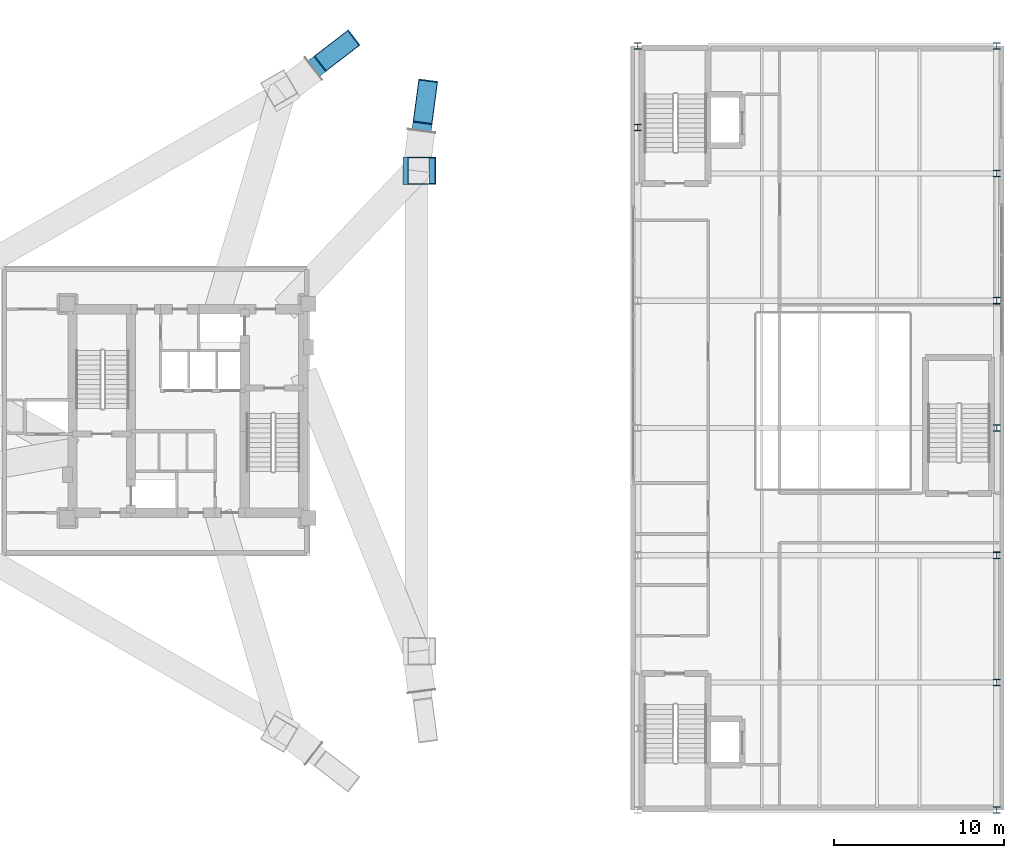
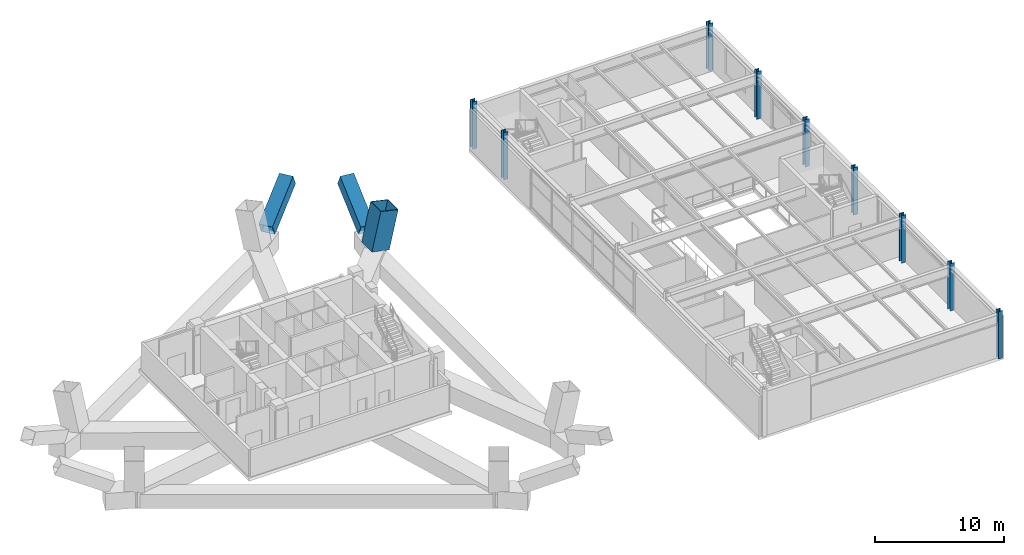
# One storey, part 2 of 16: 12 columns.
"""IFC4 building model written with IfcOpenShell, lengths in metres."""

from ifc_helpers import new_model, si_unit, direction, frame, origin, origin_2d, place, context, subcontext, project, spatial, hollow_rectangle, i_section, extrude, material, material_profile, profile_set, type_object, element, save


model = new_model("IFC4")

# Units and contexts
model_context = context("Model", 3, precision=1e-05, world=origin(), true_north=direction((0.0, 1.0)))
body_context = subcontext(model_context, "Body", "Model", "MODEL_VIEW")
ifc_project = project(units=[si_unit("LENGTHUNIT", "METRE"), si_unit("AREAUNIT", "SQUARE_METRE"), si_unit("VOLUMEUNIT", "CUBIC_METRE"), si_unit("PLANEANGLEUNIT", "RADIAN"), si_unit("MASSUNIT", "GRAM", prefix="KILO")], contexts=[model_context])

# Site, building, storey
site_placement = place(None, origin())
site = spatial("IfcSite", under=ifc_project, at=site_placement, CompositionType="ELEMENT")
building_placement = place(site_placement, origin())
building = spatial("IfcBuilding", under=site, at=building_placement, Name="Mersakhor Tower and Convention Hall", CompositionType="ELEMENT")
storey_placement = place(building_placement, frame((0.0, 0.0, 5.10009765625)))
storey = spatial("IfcBuildingStorey", under=building, at=storey_placement, Name="L01", CompositionType="ELEMENT", Elevation=5.10009765625)

# Columns
ifc_material_1 = material(Name="Concrete C60/75 in S460M steel box", Category="concrete")
ifc_material_profile_1 = material_profile(ifc_material_1, hollow_rectangle(XDim=1.14990234375, YDim=1.14990234375, WallThickness=0.031982421875, at=origin_2d()), Name="SHS 1150x1150x32")
ifc_profile_set_1 = profile_set([ifc_material_profile_1], Name="Concrete C60/75 in S460M steel box")
column_type_1 = type_object("IfcColumnType", Name="COL-CFT-1150", PredefinedType="COLUMN", material=ifc_profile_set_1)
column_1_placement = place(storey_placement, frame((35.99951171875, 46.603759765625, 0.079833984375), z_axis=(0.709160946247, 0.545851607638, 0.446247436695), x_axis=(-0.609951660333, 0.792438623527, 0.0)))
element("IfcColumn", 1, at=column_1_placement, inside=storey, type_object=column_type_1, Name="L01 Sloping Y-Branch Corner Mega-Column YCL-F1-B", PredefinedType="COLUMN", context=body_context, shape_type="SweptSolid", body=[
    extrude(hollow_rectangle(XDim=1.14990234375, YDim=1.14990234375, WallThickness=0.031982421875, at=origin_2d()), origin(), (0.0, 0.0, 1.0), 4.7060546875),
])
column_2_placement = place(storey_placement, frame((42.694091796875, 42.73828125, 0.079833984375), z_axis=(0.118116764742, 0.887094771128, 0.446218889027), x_axis=(-0.991251677926, 0.13198526815, 0.0)))
element("IfcColumn", 2, at=column_2_placement, inside=storey, type_object=column_type_1, Name="L01 Sloping Y-Branch Corner Mega-Column YCL-F2-A", PredefinedType="COLUMN", context=body_context, shape_type="SweptSolid", body=[
    extrude(hollow_rectangle(XDim=1.14990234375, YDim=1.14990234375, WallThickness=0.031982421875, at=origin_2d()), origin(), (0.0, 0.0, 1.0), 4.70654296875),
])
ifc_material_2 = material(Name="Concrete C70/85 in S460M steel box", Category="concrete")
ifc_material_profile_2 = material_profile(ifc_material_2, hollow_rectangle(XDim=1.60009765625, YDim=1.60009765625, WallThickness=0.0400390625, at=origin_2d()), Name="SHS 1600x1600x40")
ifc_profile_set_2 = profile_set([ifc_material_profile_2], Name="Concrete C70/85 in S460M steel box")
column_type_2 = type_object("IfcColumnType", Name="COL-CFT-1600", PredefinedType="COLUMN", material=ifc_profile_set_2)
column_3_placement = place(storey_placement, frame((42.449951171875, 40.904541015625, -0.300048828125), z_axis=(0.219849021395, 0.0, 0.975533909094), x_axis=(0.0, 1.0, 0.0)))
element("IfcColumn", 3, at=column_3_placement, inside=storey, type_object=column_type_2, Name="L01 Sloping Pilotis Mega-Column PIL-F2-1", PredefinedType="COLUMN", context=body_context, shape_type="SweptSolid", body=[
    extrude(hollow_rectangle(XDim=1.60009765625, YDim=1.60009765625, WallThickness=0.0400390625, at=origin_2d()), origin(), (0.0, 0.0, 1.0), 3.63916015625),
])
ifc_material_3 = material(Name="Steel S355", Category="steel")
ifc_material_profile_3 = material_profile(ifc_material_3, i_section(OverallWidth=0.39892578125, OverallDepth=0.3935546875, WebThickness=0.022705078125, FlangeThickness=0.03662109375, at=origin_2d()), Name="UC 356x406x287")
ifc_profile_set_3 = profile_set([ifc_material_profile_3], Name="Steel S355")
column_type_3 = type_object("IfcColumnType", Name="COL-STL-UC356", PredefinedType="COLUMN", material=ifc_profile_set_3)
for number, where, z_axis, x_axis, name in (
    (4, (55.5, 43.449951171875, 0.0), (0.0, 0.0, 1.0), (1.0, 0.0, 0.0), "Convention L01 Perimeter Column SC-W6"),
    (5, (55.5, 48.25, 0.0), (0.0, 0.0, 1.0), (1.0, 0.0, 0.0), "Convention L01 Perimeter Column SC-W7"),
    (6, (76.64990234375, 3.25, 0.0), (0.0, 0.0, 1.0), (1.0, 0.0, 0.0), "Convention L01 Perimeter Column SC-E1"),
    (7, (76.64990234375, 10.75, 0.0), (0.0, 0.0, 1.0), (1.0, 0.0, 0.0), "Convention L01 Perimeter Column SC-E2"),
    (8, (76.64990234375, 18.25, 0.0), (0.0, 0.0, 1.0), (1.0, 0.0, 0.0), "Convention L01 Perimeter Column SC-E3"),
    (9, (76.64990234375, 25.75, 0.0), (0.0, 0.0, 1.0), (1.0, 0.0, 0.0), "Convention L01 Perimeter Column SC-E4"),
    (10, (76.64990234375, 33.25, 0.0), (0.0, 0.0, 1.0), (1.0, 0.0, 0.0), "Convention L01 Perimeter Column SC-E5"),
    (11, (76.64990234375, 40.75, 0.0), (0.0, 0.0, 1.0), (1.0, 0.0, 0.0), "Convention L01 Perimeter Column SC-E6"),
    (12, (76.64990234375, 48.25, 0.0), (0.0, 0.0, 1.0), (1.0, 0.0, 0.0), "Convention L01 Perimeter Column SC-E7"),
):
    element("IfcColumn", number, at=place(storey_placement, frame(where, z_axis=z_axis, x_axis=x_axis)), inside=storey, type_object=column_type_3, Name=name, PredefinedType="COLUMN", context=body_context, shape_type="SweptSolid", body=[
        extrude(i_section(OverallWidth=0.39892578125, OverallDepth=0.3935546875, WebThickness=0.022705078125, FlangeThickness=0.03662109375, at=origin_2d()), origin(), (0.0, 0.0, 1.0), 4.5),
    ])

save(model, "model.ifc")
